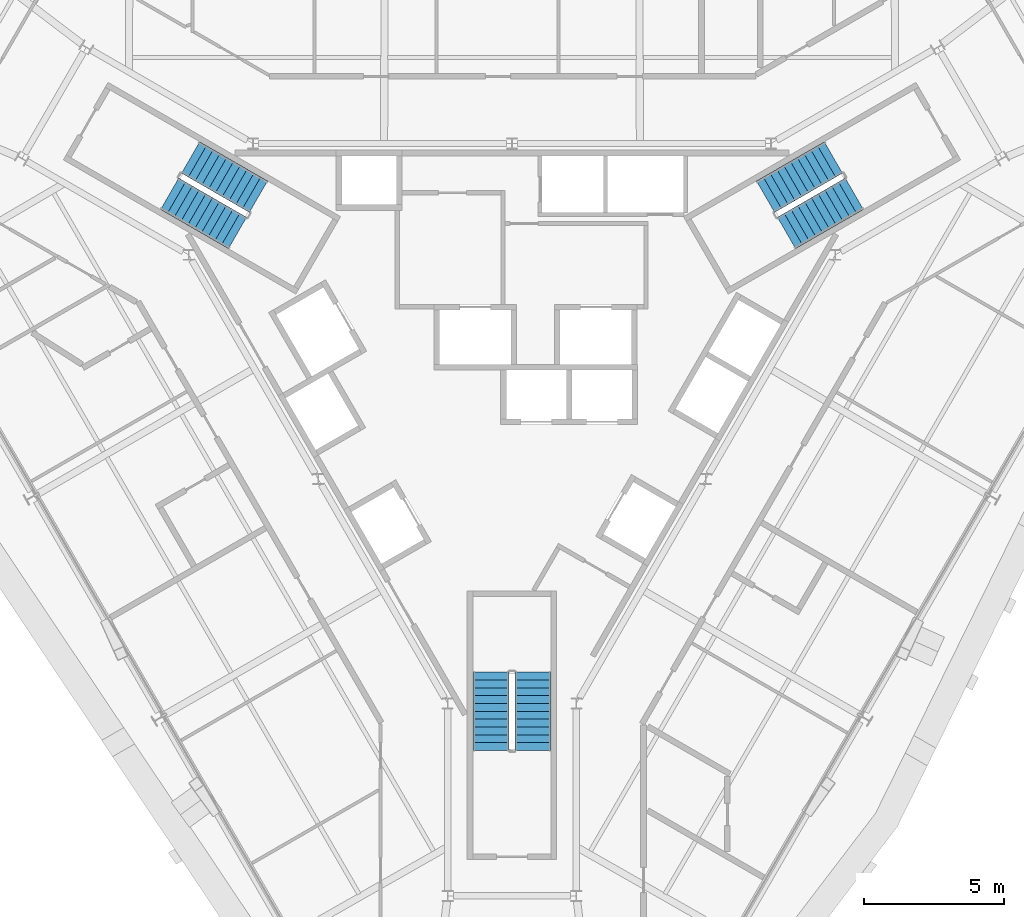
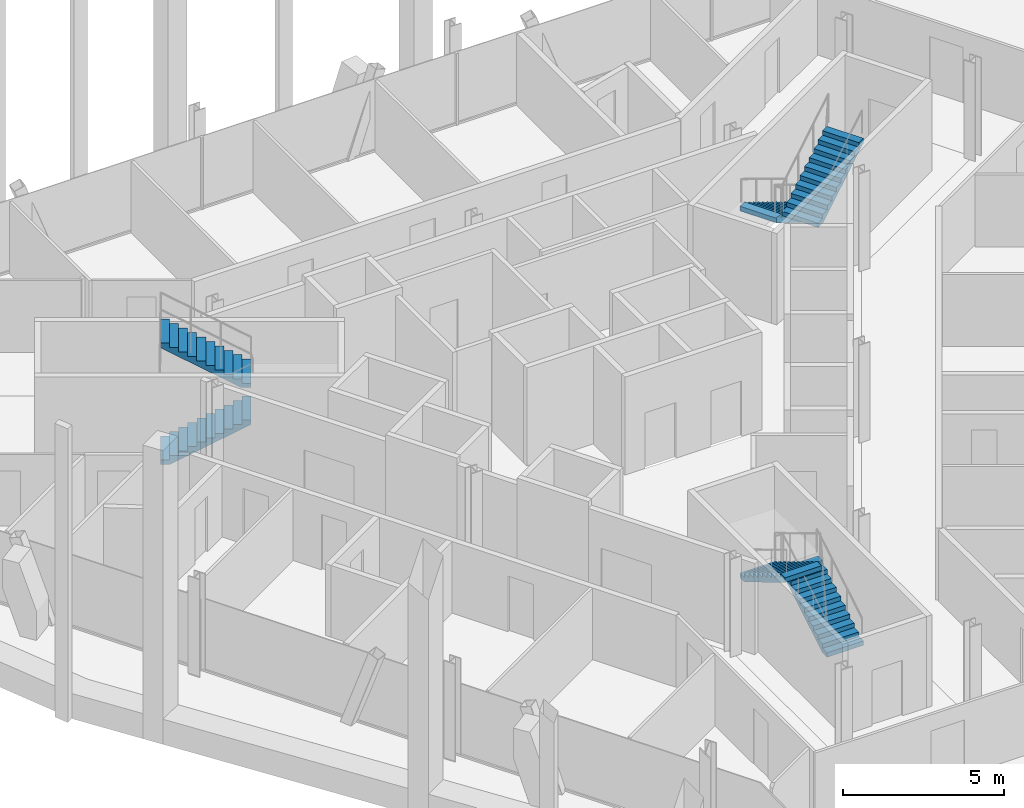
# One storey, part 14 of 16: 6 stair flights, 3 elements without a shape of their own.
"""IFC4 building model written with IfcOpenShell, lengths in metres."""

from ifc_helpers import new_model, si_unit, direction, frame, origin, place, context, subcontext, project, spatial, polyline, outline, extrude, material, type_object, element, aggregate, save


model = new_model("IFC4")

# Units and contexts
model_context = context("Model", 3, precision=1e-05, world=origin(), true_north=direction((0.0, 1.0)))
body_context = subcontext(model_context, "Body", "Model", "MODEL_VIEW")
ifc_project = project(units=[si_unit("LENGTHUNIT", "METRE"), si_unit("AREAUNIT", "SQUARE_METRE"), si_unit("VOLUMEUNIT", "CUBIC_METRE"), si_unit("PLANEANGLEUNIT", "RADIAN"), si_unit("MASSUNIT", "GRAM", prefix="KILO")], contexts=[model_context])

# Site, building, storey
site_placement = place(None, origin())
site = spatial("IfcSite", under=ifc_project, at=site_placement, CompositionType="ELEMENT")
building_placement = place(site_placement, origin())
building = spatial("IfcBuilding", under=site, at=building_placement, Name="Verrane Prism Tower", CompositionType="ELEMENT")
storey_placement = place(building_placement, frame((0.0, 0.0, 247.10009765625)))
storey = spatial("IfcBuildingStorey", under=building, at=storey_placement, Name="L62", CompositionType="ELEMENT", Elevation=247.10009765625)

# Stair, stair flights
ifc_material_1 = material(Name="Concrete C40/50", Category="concrete")
stair_type = type_object("IfcStairType", Name="Exit stair 1300 dog-leg precast concrete C40/50", PredefinedType="HALF_TURN_STAIR", material=ifc_material_1)
stair_1_placement = place(storey_placement, origin())
stair_1 = element("IfcStair", 1, at=stair_1_placement, inside=storey, type_object=stair_type, Name="Stair 1 L62", PredefinedType="HALF_TURN_STAIR")
ifc_material_2 = material(Name="Concrete C40/50", Category="concrete")
stair_flight_type = type_object("IfcStairFlightType", Name="Stair flight 1300 precast concrete C40/50", PredefinedType="STRAIGHT", material=ifc_material_2)
stair_flight_1_placement = place(storey_placement, frame((11.489501953125, 7.49951171875, 0.0), z_axis=(0.0, 0.0, 1.0), x_axis=(-0.866025403784, -0.5, 0.0)))
stair_flight_1 = element("IfcStairFlight", 2, at=stair_flight_1_placement, type_object=stair_flight_type, Name="Stair 1 flight 1", NumberOfRisers=11, NumberOfTreads=10, PredefinedType="STRAIGHT", RiserHeight=0.168181818, TreadLength=0.28, context=body_context, shape_type="SweptSolid", body=[
    extrude(outline(polyline([(0.0, 0.0), (0.0, 0.168212890625), (0.280029296875, 0.168212890625), (0.280029296875, 0.33642578125), (0.56005859375, 0.33642578125), (0.56005859375, 0.504638671875), (0.840087890625, 0.504638671875), (0.840087890625, 0.672607421875), (1.1201171875, 0.672607421875), (1.1201171875, 0.8408203125), (1.39990234375, 0.8408203125), (1.39990234375, 1.009033203125), (1.679931640625, 1.009033203125), (1.679931640625, 1.17724609375), (1.9599609375, 1.17724609375), (1.9599609375, 1.345458984375), (2.239990234375, 1.345458984375), (2.239990234375, 1.513671875), (2.52001953125, 1.513671875), (2.52001953125, 1.681884765625), (2.800048828125, 1.681884765625), (2.800048828125, 1.85009765625), (2.800048828125, 1.5068359375), (0.291015625, 0.0), (0.0, 0.0)])), frame((0.0, 0.64990234375, 0.0), z_axis=(0.0, -1.0, 0.0), x_axis=(1.0, 0.0, 0.0)), (0.0, 0.0, 1.0), 1.300048828125),
])
stair_flight_2_placement = place(storey_placement, frame((9.814697265625, 4.800537109375, 1.849853515625), z_axis=(0.0, 0.0, 1.0), x_axis=(0.866025403784, 0.5, 0.0)))
stair_flight_2 = element("IfcStairFlight", 3, at=stair_flight_2_placement, type_object=stair_flight_type, Name="Stair 1 flight 2", NumberOfRisers=11, NumberOfTreads=10, PredefinedType="STRAIGHT", RiserHeight=0.168181818, TreadLength=0.28, context=body_context, shape_type="SweptSolid", body=[
    extrude(outline(polyline([(0.0, 0.0), (0.0, 0.168212890625), (0.280029296875, 0.168212890625), (0.280029296875, 0.33642578125), (0.56005859375, 0.33642578125), (0.56005859375, 0.504638671875), (0.840087890625, 0.504638671875), (0.840087890625, 0.672607421875), (1.1201171875, 0.672607421875), (1.1201171875, 0.8408203125), (1.39990234375, 0.8408203125), (1.39990234375, 1.009033203125), (1.679931640625, 1.009033203125), (1.679931640625, 1.17724609375), (1.9599609375, 1.17724609375), (1.9599609375, 1.345458984375), (2.239990234375, 1.345458984375), (2.239990234375, 1.513671875), (2.52001953125, 1.513671875), (2.52001953125, 1.681884765625), (2.800048828125, 1.681884765625), (2.800048828125, 1.85009765625), (2.800048828125, 1.5068359375), (0.291015625, 0.0), (0.0, 0.0)])), frame((0.0, 0.64990234375, 0.0), z_axis=(0.0, -1.0, 0.0), x_axis=(1.0, 0.0, 0.0)), (0.0, 0.0, 1.0), 1.300048828125),
])
aggregate(stair_1, [stair_flight_1, stair_flight_2])

stair_2_placement = place(storey_placement, origin())
stair_2 = element("IfcStair", 4, at=stair_2_placement, inside=storey, type_object=stair_type, Name="Stair 2 L62", PredefinedType="HALF_TURN_STAIR")
stair_flight_3_placement = place(storey_placement, frame((-12.239501953125, 6.200439453125, 0.0), z_axis=(0.0, 0.0, 1.0), x_axis=(0.866025403784, -0.5, 0.0)))
stair_flight_3 = element("IfcStairFlight", 5, at=stair_flight_3_placement, type_object=stair_flight_type, Name="Stair 2 flight 1", NumberOfRisers=11, NumberOfTreads=10, PredefinedType="STRAIGHT", RiserHeight=0.168181818, TreadLength=0.28, context=body_context, shape_type="SweptSolid", body=[
    extrude(outline(polyline([(0.0, 0.0), (0.0, 0.168212890625), (0.280029296875, 0.168212890625), (0.280029296875, 0.33642578125), (0.56005859375, 0.33642578125), (0.56005859375, 0.504638671875), (0.840087890625, 0.504638671875), (0.840087890625, 0.672607421875), (1.1201171875, 0.672607421875), (1.1201171875, 0.8408203125), (1.39990234375, 0.8408203125), (1.39990234375, 1.009033203125), (1.679931640625, 1.009033203125), (1.679931640625, 1.17724609375), (1.9599609375, 1.17724609375), (1.9599609375, 1.345458984375), (2.239990234375, 1.345458984375), (2.239990234375, 1.513671875), (2.52001953125, 1.513671875), (2.52001953125, 1.681884765625), (2.800048828125, 1.681884765625), (2.800048828125, 1.85009765625), (2.800048828125, 1.5068359375), (0.291015625, 0.0), (0.0, 0.0)])), frame((0.0, 0.64990234375, 0.0), z_axis=(0.0, -1.0, 0.0), x_axis=(1.0, 0.0, 0.0)), (0.0, 0.0, 1.0), 1.300048828125),
])
stair_flight_4_placement = place(storey_placement, frame((-9.064697265625, 6.099609375, 1.849853515625), z_axis=(0.0, 0.0, 1.0), x_axis=(-0.866025403784, 0.5, 0.0)))
stair_flight_4 = element("IfcStairFlight", 6, at=stair_flight_4_placement, type_object=stair_flight_type, Name="Stair 2 flight 2", NumberOfRisers=11, NumberOfTreads=10, PredefinedType="STRAIGHT", RiserHeight=0.168181818, TreadLength=0.28, context=body_context, shape_type="SweptSolid", body=[
    extrude(outline(polyline([(0.0, 0.0), (0.0, 0.168212890625), (0.280029296875, 0.168212890625), (0.280029296875, 0.33642578125), (0.56005859375, 0.33642578125), (0.56005859375, 0.504638671875), (0.840087890625, 0.504638671875), (0.840087890625, 0.672607421875), (1.1201171875, 0.672607421875), (1.1201171875, 0.8408203125), (1.39990234375, 0.8408203125), (1.39990234375, 1.009033203125), (1.679931640625, 1.009033203125), (1.679931640625, 1.17724609375), (1.9599609375, 1.17724609375), (1.9599609375, 1.345458984375), (2.239990234375, 1.345458984375), (2.239990234375, 1.513671875), (2.52001953125, 1.513671875), (2.52001953125, 1.681884765625), (2.800048828125, 1.681884765625), (2.800048828125, 1.85009765625), (2.800048828125, 1.5068359375), (0.291015625, 0.0), (0.0, 0.0)])), frame((0.0, 0.64990234375, 0.0), z_axis=(0.0, -1.0, 0.0), x_axis=(1.0, 0.0, 0.0)), (0.0, 0.0, 1.0), 1.300048828125),
])
aggregate(stair_2, [stair_flight_3, stair_flight_4])

stair_3_placement = place(storey_placement, origin())
stair_3 = element("IfcStair", 7, at=stair_3_placement, inside=storey, type_object=stair_type, Name="Stair 3 L62", PredefinedType="HALF_TURN_STAIR")
stair_flight_5_placement = place(storey_placement, frame((0.75, -13.699951171875, 0.0), z_axis=(0.0, 0.0, 1.0), x_axis=(0.0, 1.0, 0.0)))
stair_flight_5 = element("IfcStairFlight", 8, at=stair_flight_5_placement, type_object=stair_flight_type, Name="Stair 3 flight 1", NumberOfRisers=11, NumberOfTreads=10, PredefinedType="STRAIGHT", RiserHeight=0.168181818, TreadLength=0.28, context=body_context, shape_type="SweptSolid", body=[
    extrude(outline(polyline([(0.0, 0.0), (0.0, 0.168212890625), (0.280029296875, 0.168212890625), (0.280029296875, 0.33642578125), (0.56005859375, 0.33642578125), (0.56005859375, 0.504638671875), (0.840087890625, 0.504638671875), (0.840087890625, 0.672607421875), (1.1201171875, 0.672607421875), (1.1201171875, 0.8408203125), (1.39990234375, 0.8408203125), (1.39990234375, 1.009033203125), (1.679931640625, 1.009033203125), (1.679931640625, 1.17724609375), (1.9599609375, 1.17724609375), (1.9599609375, 1.345458984375), (2.239990234375, 1.345458984375), (2.239990234375, 1.513671875), (2.52001953125, 1.513671875), (2.52001953125, 1.681884765625), (2.800048828125, 1.681884765625), (2.800048828125, 1.85009765625), (2.800048828125, 1.5068359375), (0.291015625, 0.0), (0.0, 0.0)])), frame((0.0, 0.64990234375, 0.0), z_axis=(0.0, -1.0, 0.0), x_axis=(1.0, 0.0, 0.0)), (0.0, 0.0, 1.0), 1.300048828125),
])
stair_flight_6_placement = place(storey_placement, frame((-0.75, -10.89990234375, 1.849853515625), z_axis=(0.0, 0.0, 1.0), x_axis=(0.0, -1.0, 0.0)))
stair_flight_6 = element("IfcStairFlight", 9, at=stair_flight_6_placement, type_object=stair_flight_type, Name="Stair 3 flight 2", NumberOfRisers=11, NumberOfTreads=10, PredefinedType="STRAIGHT", RiserHeight=0.168181818, TreadLength=0.28, context=body_context, shape_type="SweptSolid", body=[
    extrude(outline(polyline([(0.0, 0.0), (0.0, 0.168212890625), (0.280029296875, 0.168212890625), (0.280029296875, 0.33642578125), (0.56005859375, 0.33642578125), (0.56005859375, 0.504638671875), (0.840087890625, 0.504638671875), (0.840087890625, 0.672607421875), (1.1201171875, 0.672607421875), (1.1201171875, 0.8408203125), (1.39990234375, 0.8408203125), (1.39990234375, 1.009033203125), (1.679931640625, 1.009033203125), (1.679931640625, 1.17724609375), (1.9599609375, 1.17724609375), (1.9599609375, 1.345458984375), (2.239990234375, 1.345458984375), (2.239990234375, 1.513671875), (2.52001953125, 1.513671875), (2.52001953125, 1.681884765625), (2.800048828125, 1.681884765625), (2.800048828125, 1.85009765625), (2.800048828125, 1.5068359375), (0.291015625, 0.0), (0.0, 0.0)])), frame((0.0, 0.64990234375, 0.0), z_axis=(0.0, -1.0, 0.0), x_axis=(1.0, 0.0, 0.0)), (0.0, 0.0, 1.0), 1.300048828125),
])
aggregate(stair_3, [stair_flight_5, stair_flight_6])

save(model, "model.ifc")
